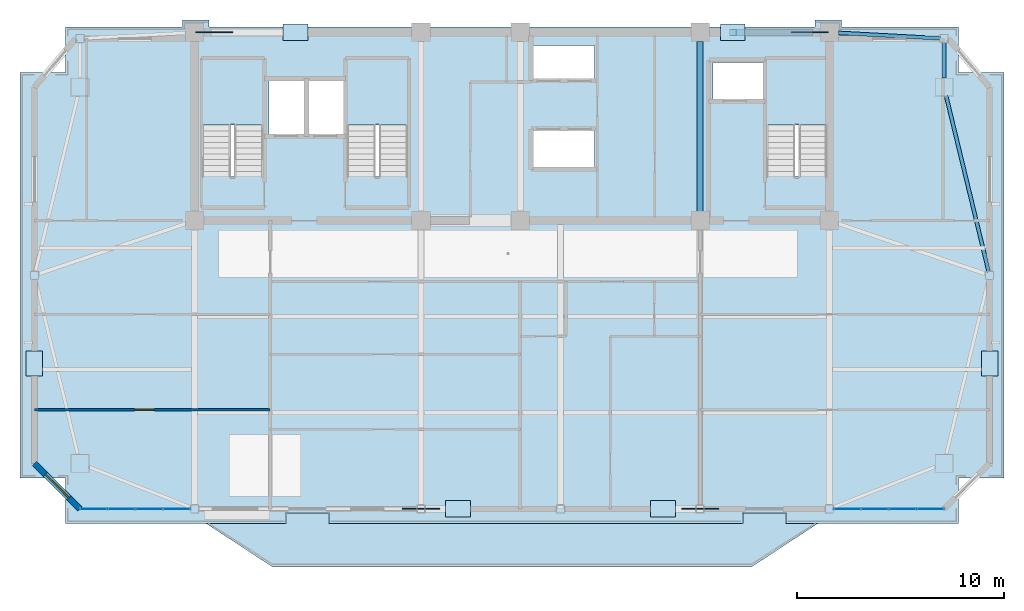
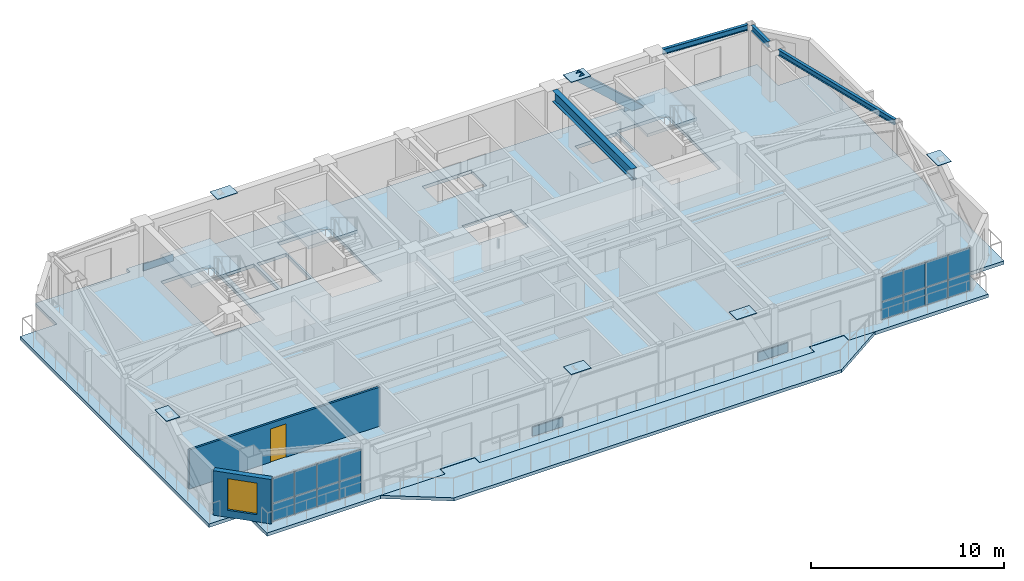
# One storey, part 5 of 12: 26 plates, 5 slabs, 4 beams, 2 walls, 1 door, 1 member, 1 window, 2 openings, 5 elements without a shape of their own.
"""IFC4 building model written with IfcOpenShell, lengths in metres."""

from ifc_helpers import new_model, si_unit, direction, frame, frame_2d, origin, origin_2d, place, context, subcontext, project, spatial, polyline, rectangle, hollow_rectangle, i_section, outline, extrude, source, transform, mapped, material, layer, layer_set, material_profile, profile_set, type_object, element, fill, aggregate, save


model = new_model("IFC4")

# Units and contexts
model_context = context("Model", 3, precision=1e-05, world=origin(), true_north=direction((0.0, 1.0)))
body_context = subcontext(model_context, "Body", "Model", "MODEL_VIEW")
ifc_project = project(units=[si_unit("LENGTHUNIT", "METRE"), si_unit("AREAUNIT", "SQUARE_METRE"), si_unit("VOLUMEUNIT", "CUBIC_METRE"), si_unit("PLANEANGLEUNIT", "RADIAN"), si_unit("MASSUNIT", "GRAM", prefix="KILO")], contexts=[model_context])

# Site, building, storey
site_placement = place(None, origin())
site = spatial("IfcSite", under=ifc_project, at=site_placement, CompositionType="ELEMENT")
building_placement = place(site_placement, origin())
building = spatial("IfcBuilding", under=site, at=building_placement, Name="Giltprow Tower", CompositionType="ELEMENT")
storey_placement = place(building_placement, frame((0.0, 0.0, 345.89990234375)))
storey = spatial("IfcBuildingStorey", under=building, at=storey_placement, Name="L90", CompositionType="ELEMENT", Elevation=345.89990234375)

# Beams
ifc_material_1 = material(Name="Structural steel Q355B", Category="steel")
ifc_material_profile_1 = material_profile(ifc_material_1, i_section(OverallWidth=0.300048828125, OverallDepth=0.699951171875, WebThickness=0.012939453125, FlangeThickness=0.02392578125, at=origin_2d()), Name="HN 700x300x13x24")
ifc_profile_set_1 = profile_set([ifc_material_profile_1], Name="Structural steel Q355B")
beam_type_1 = type_object("IfcBeamType", Name="BM-GIRD-HN700", PredefinedType="BEAM", material=ifc_profile_set_1)
shared_shape_1 = source(origin(), body_context, "Body", "SweptSolid", [
    extrude(i_section(OverallWidth=0.300048828125, OverallDepth=0.699951171875, WebThickness=0.012939453125, FlangeThickness=0.02392578125, at=origin_2d()), origin(), (0.0, 0.0, 1.0), 8.22998046875),
])
beam_1_placement = place(storey_placement, frame((44.300048828125, 37.885009765625, 2.835205078125), z_axis=(0.0, 1.0, 0.0), x_axis=(-1.0, 0.0, 0.0)))
element("IfcBeam", 1, at=beam_1_placement, inside=storey, type_object=beam_type_1, Name="L90 Core Tie Girder M3", PredefinedType="BEAM", context=body_context, shape_type="MappedRepresentation", body=[
    mapped(shared_shape_1, transform((0.0, 0.0, 0.0), x_axis=(1.0, 0.0, 0.0), y_axis=(0.0, 1.0, 0.0), z_axis=(0.0, 0.0, 1.0), scale=1.0)),
])
ifc_material_profile_2 = material_profile(ifc_material_1, i_section(OverallWidth=0.175048828125, OverallDepth=0.35009765625, WebThickness=0.007080078125, FlangeThickness=0.010986328125, at=origin_2d()), Name="HN 350x175x7x11")
ifc_profile_set_2 = profile_set([ifc_material_profile_2], Name="Structural steel Q355B")
beam_type_2 = type_object("IfcBeamType", Name="BM-SPAN-HN350", PredefinedType="SPANDREL", material=ifc_profile_set_2)
shared_shape_2 = source(origin(), body_context, "Body", "SweptSolid", [
    extrude(i_section(OverallWidth=0.175048828125, OverallDepth=0.35009765625, WebThickness=0.007080078125, FlangeThickness=0.010986328125, at=origin_2d()), origin(), (0.0, 0.0, 1.0), 8.7421875),
])
beam_2_placement = place(storey_placement, frame((58.257080078125, 34.97998046875, 3.010009765625), z_axis=(-0.235090039637, 0.971973596999, 0.0), x_axis=(-0.971973596999, -0.235090039637, 0.0)))
element("IfcBeam", 2, at=beam_2_placement, inside=storey, type_object=beam_type_2, Name="L90 Perimeter Spandrel Beam E_MID-MC_NE", PredefinedType="SPANDREL", context=body_context, shape_type="MappedRepresentation", body=[
    mapped(shared_shape_2, transform((0.0, 0.0, 0.0), x_axis=(1.0, 0.0, 0.0), y_axis=(0.0, 1.0, 0.0), z_axis=(0.0, 0.0, 1.0), scale=1.0)),
])
shared_shape_3 = source(origin(), body_context, "Body", "SweptSolid", [
    extrude(i_section(OverallWidth=0.175048828125, OverallDepth=0.35009765625, WebThickness=0.007080078125, FlangeThickness=0.010986328125, at=origin_2d()), origin(), (0.0, 0.0, 1.0), 1.72998046875),
])
beam_3_placement = place(storey_placement, frame((56.10009765625, 44.3349609375, 3.010009765625), z_axis=(0.0, 1.0, 0.0), x_axis=(-1.0, 0.0, 0.0)))
element("IfcBeam", 3, at=beam_3_placement, inside=storey, type_object=beam_type_2, Name="L90 Perimeter Spandrel Beam MC_NE-N_E", PredefinedType="SPANDREL", context=body_context, shape_type="MappedRepresentation", body=[
    mapped(shared_shape_3, transform((0.0, 0.0, 0.0), x_axis=(1.0, 0.0, 0.0), y_axis=(0.0, 1.0, 0.0), z_axis=(0.0, 0.0, 1.0), scale=1.0)),
])
shared_shape_4 = source(origin(), body_context, "Body", "SweptSolid", [
    extrude(i_section(OverallWidth=0.175048828125, OverallDepth=0.35009765625, WebThickness=0.007080078125, FlangeThickness=0.010986328125, at=origin_2d()), origin(), (0.0, 0.0, 1.0), 4.9384765625),
])
beam_4_placement = place(storey_placement, frame((50.98388671875, 46.527099609375, 3.010009765625), z_axis=(0.99853636218, -0.054084502437, 0.0), x_axis=(0.054084502437, 0.99853636218, 0.0)))
element("IfcBeam", 4, at=beam_4_placement, inside=storey, type_object=beam_type_2, Name="L90 North Wing Spandrel E", PredefinedType="SPANDREL", context=body_context, shape_type="MappedRepresentation", body=[
    mapped(shared_shape_4, transform((0.0, 0.0, 0.0), x_axis=(1.0, 0.0, 0.0), y_axis=(0.0, 1.0, 0.0), z_axis=(0.0, 0.0, 1.0), scale=1.0)),
])

# Member
ifc_material_2 = material(Name="Structural steel Q420GJC", Category="steel")
ifc_material_profile_3 = material_profile(ifc_material_2, hollow_rectangle(XDim=0.35009765625, YDim=0.5, WallThickness=0.02392578125, at=origin_2d()), Name="RHS 500x350x24")
ifc_profile_set_3 = profile_set([ifc_material_profile_3], Name="Structural steel Q420GJC")
member_type = type_object("IfcMemberType", Name="MBR-MEGA-RHS500", PredefinedType="BRACE", material=ifc_profile_set_3)
shared_shape_5 = source(origin(), body_context, "Body", "SweptSolid", [
    extrude(hollow_rectangle(XDim=0.35009765625, YDim=0.5, WallThickness=0.02392578125, at=origin_2d()), origin(), (0.0, 0.0, 1.0), 5.038818359375),
])
member_placement = place(storey_placement, frame((49.60009765625, 46.550048828125, -0.139892578125), z_axis=(-0.738060523279, 0.0, 0.674734513699), x_axis=(0.0, -1.0, 0.0)))
element("IfcMember", 5, at=member_placement, inside=storey, type_object=member_type, Name="L90 Chevron Mega-Brace N-R", PredefinedType="BRACE", context=body_context, shape_type="MappedRepresentation", body=[
    mapped(shared_shape_5, transform((0.0, 0.0, 0.0), x_axis=(1.0, 0.0, 0.0), y_axis=(0.0, 1.0, 0.0), z_axis=(0.0, 0.0, 1.0), scale=1.0)),
])

# Slabs
ifc_material_3 = material(Name="Concrete C40", Category="concrete")
ifc_layer_1 = layer(ifc_material_3, 0.199951171875, Name="Concrete C40")
ifc_layer_set_1 = layer_set([ifc_layer_1], Name="Concrete C40")
slab_type_1 = type_object("IfcSlabType", Name="SLB-BALC-BRONZE-200", PredefinedType="FLOOR", material=ifc_layer_set_1)
slab_1_placement = place(storey_placement, frame((0.0, 0.0, -0.199951171875)))
element("IfcSlab", 6, at=slab_1_placement, inside=storey, type_object=slab_type_1, Name="L90 Bronze Prow Waterfront Balcony Slab", PredefinedType="FLOOR", context=body_context, shape_type="SweptSolid", body=[
    extrude(outline(polyline([(50.0, 22.800048828125), (46.800048828125, 20.699951171875), (23.60009765625, 20.699951171875), (20.39990234375, 22.800048828125), (24.280029296875, 22.800048828125), (24.280029296875, 23.300048828125), (26.320068359375, 23.300048828125), (26.320068359375, 22.800048828125), (46.3798828125, 22.800048828125), (46.3798828125, 23.300048828125), (48.419921875, 23.300048828125), (48.419921875, 22.800048828125), (50.0, 22.800048828125)])), origin(), (0.0, 0.0, 1.0), 0.199951171875),
])
ifc_layer_2 = layer(ifc_material_3, 0.215087890625, Name="Concrete C40")
ifc_layer_set_2 = layer_set([ifc_layer_2], Name="Concrete C40")
slab_type_2 = type_object("IfcSlabType", Name="SLB-RES-215", PredefinedType="FLOOR", material=ifc_layer_set_2)
slab_2_placement = place(storey_placement, frame((0.0, 0.0, -0.21484375)))
element("IfcSlab", 7, at=slab_2_placement, inside=storey, type_object=slab_type_2, Name="L90 Structural Composite Floor Slab", PredefinedType="FLOOR", context=body_context, shape_type="SweptSolid", body=[
    extrude(outline(polyline([(59.0, 44.60009765625), (59.0, 25.0), (56.800048828125, 25.0), (56.800048828125, 22.800048828125), (48.449951171875, 22.800048828125), (48.449951171875, 23.320068359375), (46.35009765625, 23.320068359375), (46.35009765625, 22.800048828125), (26.35009765625, 22.800048828125), (26.35009765625, 23.320068359375), (24.25, 23.320068359375), (24.25, 22.800048828125), (13.60009765625, 22.800048828125), (13.60009765625, 25.0), (11.39990234375, 25.0), (11.39990234375, 44.60009765625), (13.60009765625, 44.60009765625), (13.60009765625, 46.800048828125), (19.25, 46.800048828125), (19.25, 47.14990234375), (20.550048828125, 47.14990234375), (20.550048828125, 46.800048828125), (49.85009765625, 46.800048828125), (49.85009765625, 47.14990234375), (51.14990234375, 47.14990234375), (51.14990234375, 46.800048828125), (56.800048828125, 46.800048828125), (56.800048828125, 44.60009765625), (59.0, 44.60009765625)]), holes=[polyline([(39.18994140625, 41.800048828125), (36.239990234375, 41.800048828125), (36.239990234375, 40.0), (39.18994140625, 40.0), (39.18994140625, 41.800048828125)]), polyline([(23.159912109375, 39.570068359375), (23.159912109375, 45.25), (20.199951171875, 45.25), (20.199951171875, 39.570068359375), (23.159912109375, 39.570068359375)]), polyline([(30.159912109375, 39.570068359375), (30.159912109375, 45.25), (27.199951171875, 45.25), (27.199951171875, 39.570068359375), (30.159912109375, 39.570068359375)]), polyline([(50.4599609375, 45.25), (47.5, 45.25), (47.5, 39.570068359375), (50.4599609375, 39.570068359375), (50.4599609375, 45.25)]), polyline([(25.169921875, 44.199951171875), (23.449951171875, 44.199951171875), (23.449951171875, 41.60009765625), (25.169921875, 41.60009765625), (25.169921875, 44.199951171875)]), polyline([(27.10009765625, 44.199951171875), (25.35009765625, 44.199951171875), (25.35009765625, 41.60009765625), (27.10009765625, 41.60009765625), (27.10009765625, 44.199951171875)]), polyline([(47.3798828125, 43.300048828125), (47.3798828125, 45.10009765625), (44.919921875, 45.10009765625), (44.919921875, 43.300048828125), (47.3798828125, 43.300048828125)]), polyline([(39.18994140625, 44.300048828125), (39.18994140625, 45.919921875), (36.239990234375, 45.919921875), (36.239990234375, 44.300048828125), (39.18994140625, 44.300048828125)])]), origin(), (0.0, 0.0, 1.0), 0.21484375),
])

# Stair, slab
stair_type_1 = type_object("IfcStairType", Name="STR-ST-1", PredefinedType="HALF_TURN_STAIR", material=ifc_material_3)
stair_1_placement = place(storey_placement, origin())
stair_1 = element("IfcStair", 8, at=stair_1_placement, inside=storey, type_object=stair_type_1, Name="L90 Core Exit Stair ST-1", PredefinedType="HALF_TURN_STAIR")
ifc_layer_3 = layer(ifc_material_3, 0.179931640625, Name="Concrete C40")
ifc_layer_set_3 = layer_set([ifc_layer_3], Name="Concrete C40")
slab_type_3 = type_object("IfcSlabType", Name="SLD-ST-1", PredefinedType="LANDING", material=ifc_layer_set_3)
slab_3_placement = place(storey_placement, frame((0.0, 0.0, 1.52001953125)))
slab_3 = element("IfcSlab", 9, at=slab_3_placement, type_object=slab_type_3, Name="ST-1 landing 1", PredefinedType="LANDING", context=body_context, shape_type="SweptSolid", body=[
    extrude(outline(polyline([(23.159912109375, 42.070068359375), (23.159912109375, 45.25), (20.199951171875, 45.25), (20.199951171875, 42.070068359375), (23.159912109375, 42.070068359375)])), origin(), (0.0, 0.0, 1.0), 0.18017578125),
])
aggregate(stair_1, [slab_3])

stair_type_2 = type_object("IfcStairType", Name="STR-ST-2", PredefinedType="HALF_TURN_STAIR", material=ifc_material_3)
stair_2_placement = place(storey_placement, origin())
stair_2 = element("IfcStair", 10, at=stair_2_placement, inside=storey, type_object=stair_type_2, Name="L90 Core Exit Stair ST-2", PredefinedType="HALF_TURN_STAIR")
ifc_layer_4 = layer(ifc_material_3, 0.18798828125, Name="Concrete C40")
ifc_layer_set_4 = layer_set([ifc_layer_4], Name="Concrete C40")
slab_type_4 = type_object("IfcSlabType", Name="SLD-ST-2", PredefinedType="LANDING", material=ifc_layer_set_4)
slab_4_placement = place(storey_placement, frame((0.0, 0.0, 1.51220703125)))
slab_4 = element("IfcSlab", 11, at=slab_4_placement, type_object=slab_type_4, Name="ST-2 landing 1", PredefinedType="LANDING", context=body_context, shape_type="SweptSolid", body=[
    extrude(outline(polyline([(30.159912109375, 42.070068359375), (30.159912109375, 45.25), (27.199951171875, 45.25), (27.199951171875, 42.070068359375), (30.159912109375, 42.070068359375)])), origin(), (0.0, 0.0, 1.0), 0.18798828125),
])
aggregate(stair_2, [slab_4])

stair_type_3 = type_object("IfcStairType", Name="STR-ST-3", PredefinedType="HALF_TURN_STAIR", material=ifc_material_3)
stair_3_placement = place(storey_placement, origin())
stair_3 = element("IfcStair", 12, at=stair_3_placement, inside=storey, type_object=stair_type_3, Name="L90 Core Exit Stair ST-3", PredefinedType="HALF_TURN_STAIR")
ifc_layer_5 = layer(ifc_material_3, 0.196044921875, Name="Concrete C40")
ifc_layer_set_5 = layer_set([ifc_layer_5], Name="Concrete C40")
slab_type_5 = type_object("IfcSlabType", Name="SLD-ST-3", PredefinedType="LANDING", material=ifc_layer_set_5)
slab_5_placement = place(storey_placement, frame((0.0, 0.0, 1.504150390625)))
slab_5 = element("IfcSlab", 13, at=slab_5_placement, type_object=slab_type_5, Name="ST-3 landing 1", PredefinedType="LANDING", context=body_context, shape_type="SweptSolid", body=[
    extrude(outline(polyline([(50.4599609375, 42.070068359375), (50.4599609375, 45.25), (47.5, 45.25), (47.5, 42.070068359375), (50.4599609375, 42.070068359375)])), origin(), (0.0, 0.0, 1.0), 0.196044921875),
])
aggregate(stair_3, [slab_5])

# Plates
plate_type_1 = type_object("IfcPlateType", Name="PLT-NODE-MBN1", PredefinedType="USERDEFINED", material=ifc_material_2)
shared_shape_6 = source(origin(), body_context, "Body", "SweptSolid", [
    extrude(rectangle(XDim=1.800048828125, YDim=0.050048828125, at=origin_2d()), origin(), (0.0, 0.0, 1.0), 1.14990234375),
])
for number, where, z_axis, x_axis, name in (
    (14, (30.800048828125, 23.5, -0.574951171875), (0.0, 0.0, 1.0), (1.0, 0.0, 0.0), "Mega-Brace Node L90-S-LA"),
    (15, (44.300048828125, 23.5, -0.574951171875), (0.0, 0.0, 1.0), (1.0, 0.0, 0.0), "Mega-Brace Node L90-S-RA"),
    (16, (20.800048828125, 46.550048828125, -0.71484375), (0.0, 0.0, 1.0), (1.0, 0.0, 0.0), "Mega-Brace Node L90-N-LA"),
    (17, (49.60009765625, 46.550048828125, -0.71484375), (0.0, 0.0, 1.0), (1.0, 0.0, 0.0), "Mega-Brace Node L90-N-RA"),
):
    element("IfcPlate", number, at=place(storey_placement, frame(where, z_axis=z_axis, x_axis=x_axis)), inside=storey, type_object=plate_type_1, Name=name, ObjectType="GUSSET", PredefinedType="USERDEFINED", context=body_context, shape_type="MappedRepresentation", body=[
        mapped(shared_shape_6, transform((0.0, 0.0, 0.0), x_axis=(1.0, 0.0, 0.0), y_axis=(0.0, 1.0, 0.0), z_axis=(0.0, 0.0, 1.0), scale=1.0)),
    ])
plate_type_2 = type_object("IfcPlateType", Name="PLT-CAP-SEAL", PredefinedType="USERDEFINED", material=ifc_material_2)
shared_shape_7 = source(origin(), body_context, "Body", "SweptSolid", [
    extrude(rectangle(XDim=1.199951171875, YDim=0.800048828125, at=origin_2d()), origin(), (0.0, 0.0, 1.0), 0.034912109375),
])
for number, where, z_axis, x_axis, name in (
    (18, (32.593017578125, 23.5, 3.3828125), (0.0, 0.0, 1.0), (1.0, 0.0, 0.0), "Mega-Brace Node L90-S-LB"),
    (19, (42.507080078125, 23.5, 3.3828125), (0.0, 0.0, 1.0), (1.0, 0.0, 0.0), "Mega-Brace Node L90-S-RB"),
    (20, (24.73095703125, 46.550048828125, 3.24267578125), (0.0, 0.0, 1.0), (1.0, 0.0, 0.0), "Mega-Brace Node L90-N-LB"),
    (21, (45.881103515625, 46.550048828125, 3.24267578125), (0.0, 0.0, 1.0), (1.0, 0.0, 0.0), "Mega-Brace Node L90-N-RB"),
    (22, (12.10009765625, 30.533935546875, 3.3828125), (0.0, 0.0, 1.0), (0.0, 1.0, 0.0), "Mega-Brace Node L90-W-DB"),
    (23, (58.300048828125, 30.533935546875, 3.3828125), (0.0, 0.0, 1.0), (0.0, 1.0, 0.0), "Mega-Brace Node L90-E-DB"),
):
    element("IfcPlate", number, at=place(storey_placement, frame(where, z_axis=z_axis, x_axis=x_axis)), inside=storey, type_object=plate_type_2, Name=name, ObjectType="SPLICE", PredefinedType="USERDEFINED", context=body_context, shape_type="MappedRepresentation", body=[
        mapped(shared_shape_7, transform((0.0, 0.0, 0.0), x_axis=(1.0, 0.0, 0.0), y_axis=(0.0, 1.0, 0.0), z_axis=(0.0, 0.0, 1.0), scale=1.0)),
    ])

# Curtain wall, plates
ifc_material_4 = material(Name="Anodized bronze", Category="metal")
ifc_layer_6 = layer(ifc_material_4, 0.179931640625, Name="Anodized bronze")
ifc_layer_set_6 = layer_set([ifc_layer_6], Name="Anodized bronze")
curtain_wall_type = type_object("IfcCurtainWallType", Name="CW-RES-SKY", PredefinedType="NOTDEFINED", material=ifc_layer_set_6)
curtain_wall_1_placement = place(storey_placement, origin())
curtain_wall_1 = element("IfcCurtainWall", 24, at=curtain_wall_1_placement, inside=storey, type_object=curtain_wall_type, Name="L90 South Recessed Curtain Wall 1", PredefinedType="NOTDEFINED")
ifc_material_5 = material(Name="Insulated glass", Category="glass")
plate_type_3 = type_object("IfcPlateType", Name="CW-PANEL-IGU-28", PredefinedType="CURTAIN_PANEL", material=ifc_material_5)
shared_shape_8 = source(origin(), body_context, "Body", "SweptSolid", [
    extrude(rectangle(XDim=1.306884765625, YDim=0.028076171875, at=origin_2d()), origin(), (0.0, 0.0, 1.0), 1.114013671875),
])
plate_1_placement = place(storey_placement, frame((14.968994140625, 23.5, 0.05419921875), z_axis=(0.0, 0.0, 1.0), x_axis=(1.0, 0.0, 0.0)))
plate_1 = element("IfcPlate", 25, at=plate_1_placement, type_object=plate_type_3, Name="L90 South Recessed Curtain Wall 1 Glazing Panel 1-1", PredefinedType="CURTAIN_PANEL", context=body_context, shape_type="MappedRepresentation", body=[
    mapped(shared_shape_8, transform((0.0, 0.0, 0.0), x_axis=(1.0, 0.0, 0.0), y_axis=(0.0, 1.0, 0.0), z_axis=(0.0, 0.0, 1.0), scale=1.0)),
])
plate_2_placement = place(storey_placement, frame((16.305908203125, 23.5, 0.05419921875), z_axis=(0.0, 0.0, 1.0), x_axis=(1.0, 0.0, 0.0)))
plate_2 = element("IfcPlate", 26, at=plate_2_placement, type_object=plate_type_3, Name="L90 South Recessed Curtain Wall 1 Glazing Panel 2-1", PredefinedType="CURTAIN_PANEL", context=body_context, shape_type="MappedRepresentation", body=[
    mapped(shared_shape_8, transform((0.0, 0.0, 0.0), x_axis=(1.0, 0.0, 0.0), y_axis=(0.0, 1.0, 0.0), z_axis=(0.0, 0.0, 1.0), scale=1.0)),
])
plate_3_placement = place(storey_placement, frame((17.64404296875, 23.5, 0.05419921875), z_axis=(0.0, 0.0, 1.0), x_axis=(1.0, 0.0, 0.0)))
plate_3 = element("IfcPlate", 27, at=plate_3_placement, type_object=plate_type_3, Name="L90 South Recessed Curtain Wall 1 Glazing Panel 3-1", PredefinedType="CURTAIN_PANEL", context=body_context, shape_type="MappedRepresentation", body=[
    mapped(shared_shape_8, transform((0.0, 0.0, 0.0), x_axis=(1.0, 0.0, 0.0), y_axis=(0.0, 1.0, 0.0), z_axis=(0.0, 0.0, 1.0), scale=1.0)),
])
plate_4_placement = place(storey_placement, frame((18.98095703125, 23.5, 0.05419921875), z_axis=(0.0, 0.0, 1.0), x_axis=(1.0, 0.0, 0.0)))
plate_4 = element("IfcPlate", 28, at=plate_4_placement, type_object=plate_type_3, Name="L90 South Recessed Curtain Wall 1 Glazing Panel 4-1", PredefinedType="CURTAIN_PANEL", context=body_context, shape_type="MappedRepresentation", body=[
    mapped(shared_shape_8, transform((0.0, 0.0, 0.0), x_axis=(1.0, 0.0, 0.0), y_axis=(0.0, 1.0, 0.0), z_axis=(0.0, 0.0, 1.0), scale=1.0)),
])

curtain_wall_2_placement = place(storey_placement, origin())
curtain_wall_2 = element("IfcCurtainWall", 29, at=curtain_wall_2_placement, inside=storey, type_object=curtain_wall_type, Name="L90 South Recessed Curtain Wall 6", PredefinedType="NOTDEFINED")
plate_5_placement = place(storey_placement, frame((54.093994140625, 23.5, 0.05419921875), z_axis=(0.0, 0.0, 1.0), x_axis=(1.0, 0.0, 0.0)))
plate_5 = element("IfcPlate", 30, at=plate_5_placement, type_object=plate_type_3, Name="L90 South Recessed Curtain Wall 6 Glazing Panel 3-1", PredefinedType="CURTAIN_PANEL", context=body_context, shape_type="MappedRepresentation", body=[
    mapped(shared_shape_8, transform((0.0, 0.0, 0.0), x_axis=(1.0, 0.0, 0.0), y_axis=(0.0, 1.0, 0.0), z_axis=(0.0, 0.0, 1.0), scale=1.0)),
])
plate_6_placement = place(storey_placement, frame((55.430908203125, 23.5, 0.05419921875), z_axis=(0.0, 0.0, 1.0), x_axis=(1.0, 0.0, 0.0)))
plate_6 = element("IfcPlate", 31, at=plate_6_placement, type_object=plate_type_3, Name="L90 South Recessed Curtain Wall 6 Glazing Panel 4-1", PredefinedType="CURTAIN_PANEL", context=body_context, shape_type="MappedRepresentation", body=[
    mapped(shared_shape_8, transform((0.0, 0.0, 0.0), x_axis=(1.0, 0.0, 0.0), y_axis=(0.0, 1.0, 0.0), z_axis=(0.0, 0.0, 1.0), scale=1.0)),
])

# Plate
shared_shape_9 = source(origin(), body_context, "Body", "SweptSolid", [
    extrude(rectangle(XDim=1.306884765625, YDim=0.028076171875, at=origin_2d()), origin(), (0.0, 0.0, 1.0), 1.56494140625),
])
plate_7_placement = place(storey_placement, frame((14.968994140625, 23.5, 1.196533203125), z_axis=(0.0, 0.0, 1.0), x_axis=(1.0, 0.0, 0.0)))
plate_7 = element("IfcPlate", 32, at=plate_7_placement, type_object=plate_type_3, Name="L90 South Recessed Curtain Wall 1 Glazing Panel 1-2", PredefinedType="CURTAIN_PANEL", context=body_context, shape_type="MappedRepresentation", body=[
    mapped(shared_shape_9, transform((0.0, 0.0, 0.0), x_axis=(1.0, 0.0, 0.0), y_axis=(0.0, 1.0, 0.0), z_axis=(0.0, 0.0, 1.0), scale=1.0)),
])

plate_8_placement = place(storey_placement, frame((16.305908203125, 23.5, 1.196533203125), z_axis=(0.0, 0.0, 1.0), x_axis=(1.0, 0.0, 0.0)))
plate_8 = element("IfcPlate", 33, at=plate_8_placement, type_object=plate_type_3, Name="L90 South Recessed Curtain Wall 1 Glazing Panel 2-2", PredefinedType="CURTAIN_PANEL", context=body_context, shape_type="MappedRepresentation", body=[
    mapped(shared_shape_9, transform((0.0, 0.0, 0.0), x_axis=(1.0, 0.0, 0.0), y_axis=(0.0, 1.0, 0.0), z_axis=(0.0, 0.0, 1.0), scale=1.0)),
])

plate_9_placement = place(storey_placement, frame((17.64404296875, 23.5, 1.196533203125), z_axis=(0.0, 0.0, 1.0), x_axis=(1.0, 0.0, 0.0)))
plate_9 = element("IfcPlate", 34, at=plate_9_placement, type_object=plate_type_3, Name="L90 South Recessed Curtain Wall 1 Glazing Panel 3-2", PredefinedType="CURTAIN_PANEL", context=body_context, shape_type="MappedRepresentation", body=[
    mapped(shared_shape_9, transform((0.0, 0.0, 0.0), x_axis=(1.0, 0.0, 0.0), y_axis=(0.0, 1.0, 0.0), z_axis=(0.0, 0.0, 1.0), scale=1.0)),
])

plate_10_placement = place(storey_placement, frame((18.98095703125, 23.5, 1.196533203125), z_axis=(0.0, 0.0, 1.0), x_axis=(1.0, 0.0, 0.0)))
plate_10 = element("IfcPlate", 35, at=plate_10_placement, type_object=plate_type_3, Name="L90 South Recessed Curtain Wall 1 Glazing Panel 4-2", PredefinedType="CURTAIN_PANEL", context=body_context, shape_type="MappedRepresentation", body=[
    mapped(shared_shape_9, transform((0.0, 0.0, 0.0), x_axis=(1.0, 0.0, 0.0), y_axis=(0.0, 1.0, 0.0), z_axis=(0.0, 0.0, 1.0), scale=1.0)),
])

aggregate(curtain_wall_1, [plate_1, plate_7, plate_2, plate_8, plate_3, plate_9, plate_4, plate_10])

plate_11_placement = place(storey_placement, frame((54.093994140625, 23.5, 1.196533203125), z_axis=(0.0, 0.0, 1.0), x_axis=(1.0, 0.0, 0.0)))
plate_11 = element("IfcPlate", 36, at=plate_11_placement, type_object=plate_type_3, Name="L90 South Recessed Curtain Wall 6 Glazing Panel 3-2", PredefinedType="CURTAIN_PANEL", context=body_context, shape_type="MappedRepresentation", body=[
    mapped(shared_shape_9, transform((0.0, 0.0, 0.0), x_axis=(1.0, 0.0, 0.0), y_axis=(0.0, 1.0, 0.0), z_axis=(0.0, 0.0, 1.0), scale=1.0)),
])

plate_12_placement = place(storey_placement, frame((55.430908203125, 23.5, 1.196533203125), z_axis=(0.0, 0.0, 1.0), x_axis=(1.0, 0.0, 0.0)))
plate_12 = element("IfcPlate", 37, at=plate_12_placement, type_object=plate_type_3, Name="L90 South Recessed Curtain Wall 6 Glazing Panel 4-2", PredefinedType="CURTAIN_PANEL", context=body_context, shape_type="MappedRepresentation", body=[
    mapped(shared_shape_9, transform((0.0, 0.0, 0.0), x_axis=(1.0, 0.0, 0.0), y_axis=(0.0, 1.0, 0.0), z_axis=(0.0, 0.0, 1.0), scale=1.0)),
])

shared_shape_10 = source(origin(), body_context, "Body", "SweptSolid", [
    extrude(rectangle(XDim=1.30810546875, YDim=0.028076171875, at=origin_2d()), origin(), (0.0, 0.0, 1.0), 1.114013671875),
])
plate_13_placement = place(storey_placement, frame((51.4189453125, 23.5, 0.05419921875), z_axis=(0.0, 0.0, 1.0), x_axis=(1.0, 0.0, 0.0)))
plate_13 = element("IfcPlate", 38, at=plate_13_placement, type_object=plate_type_3, Name="L90 South Recessed Curtain Wall 6 Glazing Panel 1-1", PredefinedType="CURTAIN_PANEL", context=body_context, shape_type="MappedRepresentation", body=[
    mapped(shared_shape_10, transform((0.0, 0.0, 0.0), x_axis=(1.0, 0.0, 0.0), y_axis=(0.0, 1.0, 0.0), z_axis=(0.0, 0.0, 1.0), scale=1.0)),
])

plate_14_placement = place(storey_placement, frame((52.756103515625, 23.5, 0.05419921875), z_axis=(0.0, 0.0, 1.0), x_axis=(1.0, 0.0, 0.0)))
plate_14 = element("IfcPlate", 39, at=plate_14_placement, type_object=plate_type_3, Name="L90 South Recessed Curtain Wall 6 Glazing Panel 2-1", PredefinedType="CURTAIN_PANEL", context=body_context, shape_type="MappedRepresentation", body=[
    mapped(shared_shape_10, transform((0.0, 0.0, 0.0), x_axis=(1.0, 0.0, 0.0), y_axis=(0.0, 1.0, 0.0), z_axis=(0.0, 0.0, 1.0), scale=1.0)),
])

shared_shape_11 = source(origin(), body_context, "Body", "SweptSolid", [
    extrude(rectangle(XDim=1.30810546875, YDim=0.028076171875, at=origin_2d()), origin(), (0.0, 0.0, 1.0), 1.56494140625),
])
plate_15_placement = place(storey_placement, frame((51.4189453125, 23.5, 1.196533203125), z_axis=(0.0, 0.0, 1.0), x_axis=(1.0, 0.0, 0.0)))
plate_15 = element("IfcPlate", 40, at=plate_15_placement, type_object=plate_type_3, Name="L90 South Recessed Curtain Wall 6 Glazing Panel 1-2", PredefinedType="CURTAIN_PANEL", context=body_context, shape_type="MappedRepresentation", body=[
    mapped(shared_shape_11, transform((0.0, 0.0, 0.0), x_axis=(1.0, 0.0, 0.0), y_axis=(0.0, 1.0, 0.0), z_axis=(0.0, 0.0, 1.0), scale=1.0)),
])

plate_16_placement = place(storey_placement, frame((52.756103515625, 23.5, 1.196533203125), z_axis=(0.0, 0.0, 1.0), x_axis=(1.0, 0.0, 0.0)))
plate_16 = element("IfcPlate", 41, at=plate_16_placement, type_object=plate_type_3, Name="L90 South Recessed Curtain Wall 6 Glazing Panel 2-2", PredefinedType="CURTAIN_PANEL", context=body_context, shape_type="MappedRepresentation", body=[
    mapped(shared_shape_11, transform((0.0, 0.0, 0.0), x_axis=(1.0, 0.0, 0.0), y_axis=(0.0, 1.0, 0.0), z_axis=(0.0, 0.0, 1.0), scale=1.0)),
])

aggregate(curtain_wall_2, [plate_13, plate_15, plate_14, plate_16, plate_5, plate_11, plate_6, plate_12])

# Wall, opening, window
ifc_material_6 = material(Name="Precast concrete C40", Category="concrete")
ifc_layer_7 = layer(ifc_material_6, 0.300048828125, Name="Precast concrete C40")
ifc_layer_set_7 = layer_set([ifc_layer_7], Name="Precast concrete C40")
wall_type_1 = type_object("IfcWallType", Name="EW-NOTCH-CHAMFER-300", PredefinedType="SOLIDWALL", material=ifc_layer_set_7)
wall_1_placement = place(storey_placement, frame((12.10009765625, 25.699951171875, 0.0), z_axis=(0.0, 0.0, 1.0), x_axis=(0.707106781187, -0.707106781187, 0.0)))
wall_1 = element("IfcWall", 42, at=wall_1_placement, inside=storey, type_object=wall_type_1, Name="L90 Corner Notch Wall SW", PredefinedType="SOLIDWALL", context=body_context, shape_type="SweptSolid", body=[
    extrude(rectangle(XDim=3.111083984375, YDim=0.300048828125, at=frame_2d((1.5556640625, 0.0))), origin(), (0.0, 0.0, 1.0), 2.815185546875),
])
opening_1_placement = place(wall_1_placement, frame((0.756103515625, 0.0, 0.449951171875)))
opening_1 = element("IfcOpeningElement", 43, at=opening_1_placement, cuts=wall_1, Name="Opening WN17", PredefinedType="OPENING", context=body_context, shape_type="SweptSolid", body=[
    extrude(rectangle(XDim=1.60009765625, YDim=2.0, at=frame_2d((0.800048828125, 1.0))), frame((0.0, 0.159912109375, 0.0), z_axis=(0.0, -1.0, 0.0), x_axis=(1.0, 0.0, 0.0)), (0.0, 0.0, 1.0), 0.320068359375),
])
window_type = type_object("IfcWindowType", Name="WN-COR-1600x2000", PartitioningType="SINGLE_PANEL", PredefinedType="WINDOW", material=ifc_material_5)
shared_shape_12 = source(origin(), body_context, "Body", "SweptSolid", [
    extrude(rectangle(XDim=1.60009765625, YDim=2.0, at=frame_2d((0.800048828125, 1.0))), frame((0.0, 0.030029296875, 0.0), z_axis=(0.0, -1.0, 0.0), x_axis=(1.0, 0.0, 0.0)), (0.0, 0.0, 1.0), 0.06005859375),
])
window_placement = place(opening_1_placement, origin())
window = element("IfcWindow", 44, at=window_placement, inside=storey, type_object=window_type, Name="L90 Corner Notch Window SW", OverallHeight=2.0, OverallWidth=1.60009765625, PartitioningType="SINGLE_PANEL", PredefinedType="WINDOW", context=body_context, shape_type="MappedRepresentation", body=[
    mapped(shared_shape_12, transform((0.0, 0.0, 0.0), x_axis=(1.0, 0.0, 0.0), y_axis=(0.0, 1.0, 0.0), z_axis=(0.0, 0.0, 1.0), scale=1.0)),
])
fill(opening_1, window)

# Wall, opening, door
ifc_material_7 = material(Name="Gypsum stud partition", Category="gypsum")
ifc_layer_8 = layer(ifc_material_7, 0.1201171875, Name="Gypsum stud partition")
ifc_layer_set_8 = layer_set([ifc_layer_8], Name="Gypsum stud partition")
wall_type_2 = type_object("IfcWallType", Name="IW-ROOM-120", PredefinedType="PARTITIONING", material=ifc_layer_set_8)
wall_2_placement = place(storey_placement, frame((12.10009765625, 28.306884765625, 0.0), z_axis=(0.0, 0.0, 1.0), x_axis=(1.0, 0.0, 0.0)))
wall_2 = element("IfcWall", 45, at=wall_2_placement, inside=storey, type_object=wall_type_2, Name="L90 Special Split 1", PredefinedType="PARTITIONING", context=body_context, shape_type="SweptSolid", body=[
    extrude(rectangle(XDim=11.39990234375, YDim=0.1201171875, at=frame_2d((5.699951171875, 0.0))), origin(), (0.0, 0.0, 1.0), 2.47021484375),
])
opening_2_placement = place(wall_2_placement, frame((4.845947265625, 0.0, 0.0)))
opening_2 = element("IfcOpeningElement", 46, at=opening_2_placement, cuts=wall_2, Name="Opening ID11", PredefinedType="OPENING", context=body_context, shape_type="SweptSolid", body=[
    extrude(rectangle(XDim=0.949951171875, YDim=2.10009765625, at=frame_2d((0.47509765625, 1.050048828125))), frame((0.0, 0.070068359375, 0.0), z_axis=(0.0, -1.0, 0.0), x_axis=(1.0, 0.0, 0.0)), (0.0, 0.0, 1.0), 0.14013671875),
])
ifc_material_8 = material(Name="Engineered timber", Category="wood")
door_type = type_object("IfcDoorType", Name="DR-ROOM-950", OperationType="SINGLE_SWING_RIGHT", PredefinedType="DOOR", material=ifc_material_8)
shared_shape_13 = source(origin(), body_context, "Body", "SweptSolid", [
    extrude(rectangle(XDim=0.949951171875, YDim=2.10009765625, at=frame_2d((0.47509765625, 1.050048828125))), frame((0.0, 0.02490234375, 0.0), z_axis=(0.0, -1.0, 0.0), x_axis=(1.0, 0.0, 0.0)), (0.0, 0.0, 1.0), 0.050048828125),
])
door_placement = place(opening_2_placement, origin())
door = element("IfcDoor", 47, at=door_placement, inside=storey, type_object=door_type, Name="L90 Penthouse Art Gallery Shop 1 South Door", OperationType="SINGLE_SWING_RIGHT", OverallHeight=2.10009765625, OverallWidth=0.949951171875, PredefinedType="DOOR", context=body_context, shape_type="MappedRepresentation", body=[
    mapped(shared_shape_13, transform((0.0, 0.0, 0.0), x_axis=(1.0, 0.0, 0.0), y_axis=(0.0, 1.0, 0.0), z_axis=(0.0, 0.0, 1.0), scale=1.0)),
])
fill(opening_2, door)

save(model, "model.ifc")
